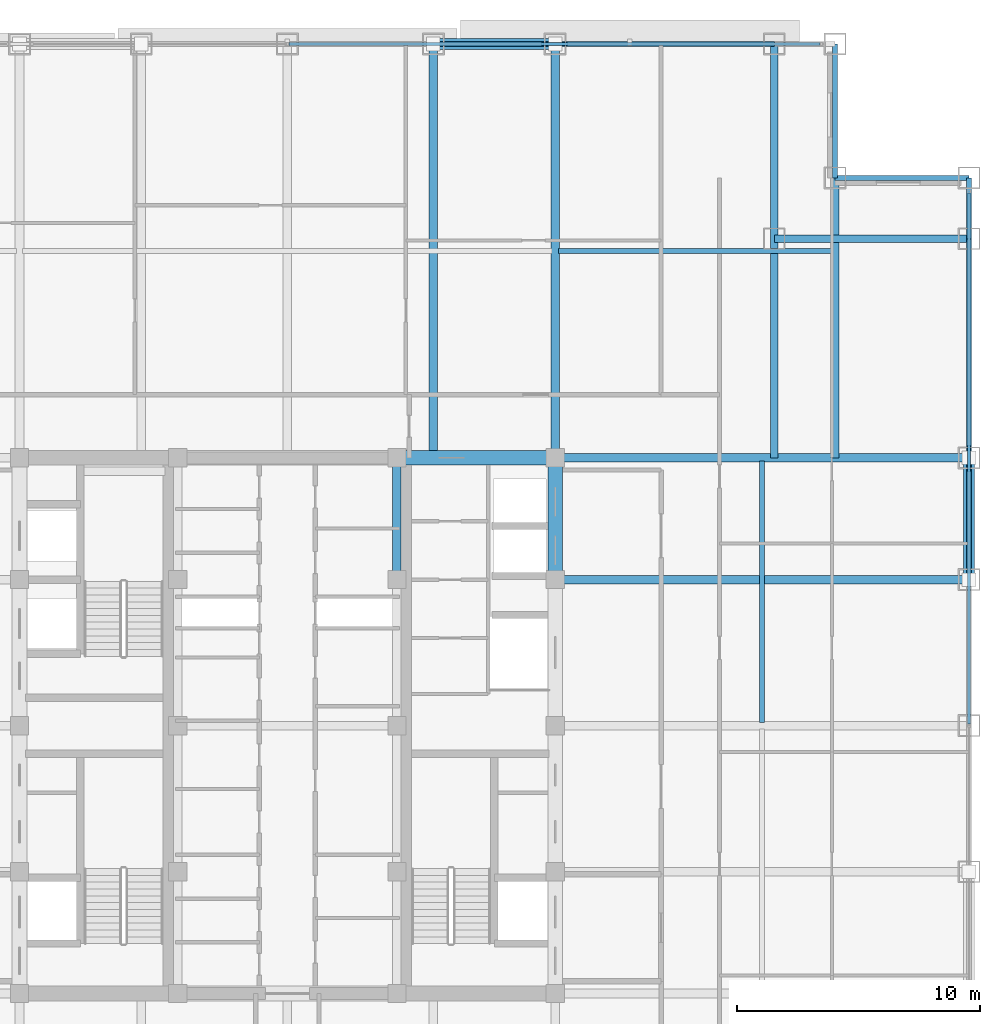
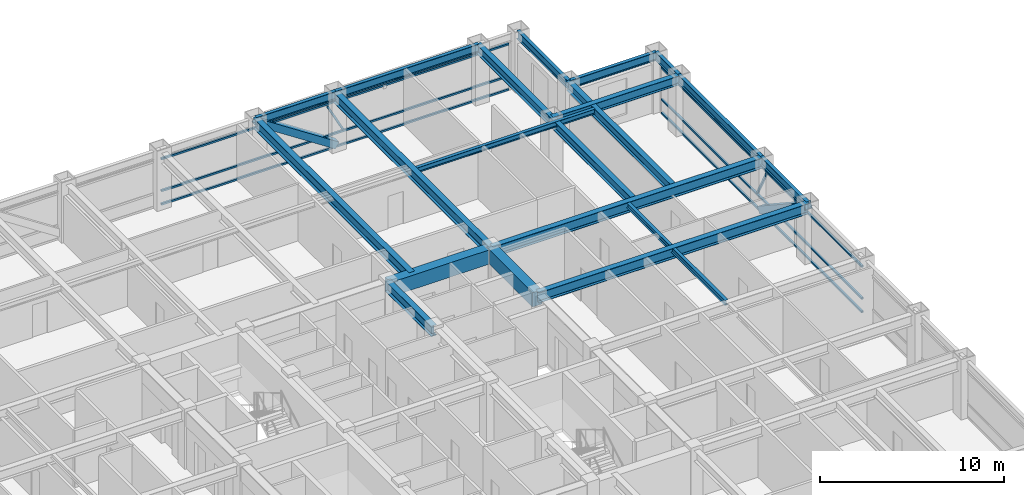
# One storey, part 15 of 27: 19 beams, 10 members, 2 elements without a shape of their own.
"""IFC4 building model written with IfcOpenShell, lengths in metres."""

from ifc_helpers import new_model, si_unit, direction, frame, origin, origin_2d, place, context, subcontext, project, spatial, rectangle, hollow_rectangle, i_section, extrude, source, transform, mapped, material, material_profile, profile_set, type_object, element, aggregate, save


model = new_model("IFC4")

# Units and contexts
model_context = context("Model", 3, precision=1e-05, world=origin(), true_north=direction((0.0, 1.0)))
body_context = subcontext(model_context, "Body", "Model", "MODEL_VIEW")
ifc_project = project(units=[si_unit("LENGTHUNIT", "METRE"), si_unit("AREAUNIT", "SQUARE_METRE"), si_unit("VOLUMEUNIT", "CUBIC_METRE"), si_unit("PLANEANGLEUNIT", "RADIAN"), si_unit("MASSUNIT", "GRAM", prefix="KILO")], contexts=[model_context])

# Site, building, storey
site_placement = place(None, origin())
site = spatial("IfcSite", under=ifc_project, at=site_placement, CompositionType="ELEMENT")
building_placement = place(site_placement, origin())
building = spatial("IfcBuilding", under=site, at=building_placement, Name="Khorayat Bourse Tower", CompositionType="ELEMENT")
storey_placement = place(building_placement, frame((0.0, 0.0, 281.5)))
storey = spatial("IfcBuildingStorey", under=building, at=storey_placement, Name="L66", CompositionType="ELEMENT", Elevation=281.5)

# Beams
ifc_material_1 = material(Name="Steel ASTM A992 Grade 50", Category="steel")
ifc_material_profile_1 = material_profile(ifc_material_1, i_section(OverallWidth=0.35498046875, OverallDepth=0.695068359375, WebThickness=0.015380859375, FlangeThickness=0.02490234375, FilletRadius=0.01806640625, at=origin_2d()), Name="W690X217")
ifc_profile_set_1 = profile_set([ifc_material_profile_1], Name="Steel ASTM A992 Grade 50")
beam_type_1 = type_object("IfcBeamType", Name="BM-GIRD-690", PredefinedType="BEAM", material=ifc_profile_set_1)
shared_shape_1 = source(origin(), body_context, "Body", "SweptSolid", [
    extrude(i_section(OverallWidth=0.35498046875, OverallDepth=0.695068359375, WebThickness=0.015380859375, FlangeThickness=0.02490234375, FilletRadius=0.01806640625, at=origin_2d()), origin(), (0.0, 0.0, 1.0), 5.0),
])
beam_1_placement = place(storey_placement, frame((4.5, 6.0, 3.4326171875), z_axis=(0.0, 1.0, 0.0), x_axis=(-1.0, 0.0, 0.0)))
element("IfcBeam", 1, at=beam_1_placement, inside=storey, type_object=beam_type_1, Name="L66 BM-GIRD-690 BM-L66-CRX-12", PredefinedType="BEAM", context=body_context, shape_type="MappedRepresentation", body=[
    mapped(shared_shape_1, transform((0.0, 0.0, 0.0), scale=1.0)),
])
ifc_material_profile_2 = material_profile(ifc_material_1, i_section(OverallWidth=0.324951171875, OverallDepth=0.615966796875, WebThickness=0.013916015625, FlangeThickness=0.021484375, FilletRadius=0.01611328125, at=origin_2d()), Name="W610X174")
ifc_profile_set_2 = profile_set([ifc_material_profile_2], Name="Steel ASTM A992 Grade 50")
beam_type_2 = type_object("IfcBeamType", Name="BM-GIRD-610", PredefinedType="BEAM", material=ifc_profile_set_2)
shared_shape_2 = source(origin(), body_context, "Body", "SweptSolid", [
    extrude(i_section(OverallWidth=0.324951171875, OverallDepth=0.615966796875, WebThickness=0.013916015625, FlangeThickness=0.021484375, FilletRadius=0.01611328125, at=origin_2d()), origin(), (0.0, 0.0, 1.0), 17.0),
])
beam_2_placement = place(storey_placement, frame((20.0, 11.0, 3.471923828125), z_axis=(0.0, 1.0, 0.0), x_axis=(-1.0, 0.0, 0.0)))
element("IfcBeam", 2, at=beam_2_placement, inside=storey, type_object=beam_type_2, Name="L66 BM-GIRD-610 BM-L66-CNRY-087", PredefinedType="BEAM", context=body_context, shape_type="MappedRepresentation", body=[
    mapped(shared_shape_2, transform((0.0, 0.0, 0.0), scale=1.0)),
])
ifc_material_2 = material(Name="Concrete C60/75", Category="concrete")
ifc_material_profile_3 = material_profile(ifc_material_2, rectangle(XDim=0.60009765625, YDim=0.949951171875, at=origin_2d()), Name="RC 600x950")
ifc_profile_set_3 = profile_set([ifc_material_profile_3], Name="Concrete C60/75")
beam_type_3 = type_object("IfcBeamType", Name="BM-COUP-950", PredefinedType="BEAM", material=ifc_profile_set_3)
shared_shape_3 = source(origin(), body_context, "Body", "SweptSolid", [
    extrude(rectangle(XDim=0.60009765625, YDim=0.949951171875, at=origin_2d()), origin(), (0.0, 0.0, 1.0), 5.0),
])
beam_3_placement = place(storey_placement, frame((11.0, 6.0, 3.304931640625), z_axis=(0.0, 1.0, 0.0), x_axis=(-1.0, 0.0, 0.0)))
element("IfcBeam", 3, at=beam_3_placement, inside=storey, type_object=beam_type_3, Name="L66 BM-COUP-950 BM-L66-CRX-16", PredefinedType="BEAM", context=body_context, shape_type="MappedRepresentation", body=[
    mapped(shared_shape_3, transform((0.0, 0.0, 0.0), scale=1.0)),
])
shared_shape_4 = source(origin(), body_context, "Body", "SweptSolid", [
    extrude(rectangle(XDim=0.60009765625, YDim=0.949951171875, at=origin_2d()), origin(), (0.0, 0.0, 1.0), 6.5),
])
beam_4_placement = place(storey_placement, frame((4.5, 11.0, 3.304931640625), z_axis=(1.0, 0.0, 0.0), x_axis=(0.0, 1.0, 0.0)))
element("IfcBeam", 4, at=beam_4_placement, inside=storey, type_object=beam_type_3, Name="L66 BM-COUP-950 BM-L66-CRY-22", PredefinedType="BEAM", context=body_context, shape_type="MappedRepresentation", body=[
    mapped(shared_shape_4, transform((0.0, 0.0, 0.0), scale=1.0)),
])

# Members
ifc_material_3 = material(Name="Steel EN 10025-4 S460M", Category="steel")
ifc_material_profile_4 = material_profile(ifc_material_3, hollow_rectangle(XDim=0.449951171875, YDim=0.449951171875, WallThickness=0.02490234375, at=origin_2d()), Name="HSS 450x450x25")
ifc_profile_set_4 = profile_set([ifc_material_profile_4], Name="Steel EN 10025-4 S460M")
member_type_1 = type_object("IfcMemberType", Name="MBR-TUBE-450", PredefinedType="BRACE", material=ifc_profile_set_4)
shared_shape_5 = source(origin(), body_context, "Body", "SweptSolid", [
    extrude(hollow_rectangle(XDim=0.449951171875, YDim=0.449951171875, WallThickness=0.02490234375, at=origin_2d()), origin(), (0.0, 0.0, 1.0), 5.979736328125),
])
for number, where, z_axis, x_axis, name in (
    (5, (6.0, 28.0, 3.530029296875), (0.836141536525, 0.0, -0.548513747227), (0.0, 1.0, 0.0), "L66 Perimeter Tube Brace 04"),
    (6, (28.0, 6.0, 3.530029296875), (0.0, 0.836141536525, -0.548513747227), (-1.0, 0.0, 0.0), "L66 Perimeter Tube Brace 08"),
):
    element("IfcMember", number, at=place(storey_placement, frame(where, z_axis=z_axis, x_axis=x_axis)), inside=storey, type_object=member_type_1, Name=name, PredefinedType="BRACE", context=body_context, shape_type="MappedRepresentation", body=[
        mapped(shared_shape_5, transform((0.0, 0.0, 0.0), scale=1.0)),
    ])

# Beams
shared_shape_6 = source(origin(), body_context, "Body", "SweptSolid", [
    extrude(i_section(OverallWidth=0.35498046875, OverallDepth=0.695068359375, WebThickness=0.015380859375, FlangeThickness=0.02490234375, FilletRadius=0.01806640625, at=origin_2d()), origin(), (0.0, 0.0, 1.0), 17.0),
])
for number, where, z_axis, x_axis, name in (
    (7, (6.0, 11.0, 3.4326171875), (0.0, 1.0, 0.0), (-1.0, 0.0, 0.0), "L66 BM-GIRD-690 BM-L66-RADY-070"),
    (8, (11.0, 11.0, 3.4326171875), (0.0, 1.0, 0.0), (-1.0, 0.0, 0.0), "L66 BM-GIRD-690 BM-L66-RADY-072"),
    (9, (11.0, 6.0, 3.4326171875), (1.0, 0.0, 0.0), (0.0, 1.0, 0.0), "L66 BM-GIRD-690 BM-L66-RADX-080"),
    (10, (11.0, 11.0, 3.4326171875), (1.0, 0.0, 0.0), (0.0, 1.0, 0.0), "L66 BM-GIRD-690 BM-L66-RADX-082"),
):
    element("IfcBeam", number, at=place(storey_placement, frame(where, z_axis=z_axis, x_axis=x_axis)), inside=storey, type_object=beam_type_1, Name=name, PredefinedType="BEAM", context=body_context, shape_type="MappedRepresentation", body=[
        mapped(shared_shape_6, transform((0.0, 0.0, 0.0), scale=1.0)),
    ])
shared_shape_7 = source(origin(), body_context, "Body", "SweptSolid", [
    extrude(i_section(OverallWidth=0.324951171875, OverallDepth=0.615966796875, WebThickness=0.013916015625, FlangeThickness=0.021484375, FilletRadius=0.01611328125, at=origin_2d()), origin(), (0.0, 0.0, 1.0), 11.5),
])
beam_5_placement = place(storey_placement, frame((22.5, 11.0, 3.471923828125), z_axis=(0.0, 1.0, 0.0), x_axis=(-1.0, 0.0, 0.0)))
element("IfcBeam", 11, at=beam_5_placement, inside=storey, type_object=beam_type_2, Name="L66 BM-GIRD-610 BM-L66-CNRY-091", PredefinedType="BEAM", context=body_context, shape_type="MappedRepresentation", body=[
    mapped(shared_shape_7, transform((0.0, 0.0, 0.0), scale=1.0)),
])
shared_shape_8 = source(origin(), body_context, "Body", "SweptSolid", [
    extrude(i_section(OverallWidth=0.324951171875, OverallDepth=0.615966796875, WebThickness=0.013916015625, FlangeThickness=0.021484375, FilletRadius=0.01611328125, at=origin_2d()), origin(), (0.0, 0.0, 1.0), 8.0),
])
beam_6_placement = place(storey_placement, frame((20.0, 20.0, 3.471923828125), z_axis=(1.0, 0.0, 0.0), x_axis=(0.0, 1.0, 0.0)))
element("IfcBeam", 12, at=beam_6_placement, inside=storey, type_object=beam_type_2, Name="L66 BM-GIRD-610 BM-L66-CNRX-094", PredefinedType="BEAM", context=body_context, shape_type="MappedRepresentation", body=[
    mapped(shared_shape_8, transform((0.0, 0.0, 0.0), scale=1.0)),
])
ifc_material_profile_5 = material_profile(ifc_material_1, i_section(OverallWidth=0.202880859375, OverallDepth=0.346923828125, WebThickness=0.0078125, FlangeThickness=0.013427734375, FilletRadius=0.010009765625, at=origin_2d()), Name="W360X64")
ifc_profile_set_5 = profile_set([ifc_material_profile_5], Name="Steel ASTM A992 Grade 50")
beam_type_4 = type_object("IfcBeamType", Name="BM-JOIST-360", PredefinedType="JOIST", material=ifc_profile_set_5)
shared_shape_9 = source(origin(), body_context, "Body", "SweptSolid", [
    extrude(i_section(OverallWidth=0.202880859375, OverallDepth=0.346923828125, WebThickness=0.0078125, FlangeThickness=0.013427734375, FilletRadius=0.010009765625, at=origin_2d()), origin(), (0.0, 0.0, 1.0), 11.240234375),
])
beam_7_placement = place(storey_placement, frame((11.1298828125, 19.5, 3.6064453125), z_axis=(1.0, 0.0, 0.0), x_axis=(0.0, 1.0, 0.0)))
element("IfcBeam", 13, at=beam_7_placement, inside=storey, type_object=beam_type_4, Name="L66 BM-JOIST-360 BM-L66-JSTX-101", PredefinedType="JOIST", context=body_context, shape_type="MappedRepresentation", body=[
    mapped(shared_shape_9, transform((0.0, 0.0, 0.0), scale=1.0)),
])
shared_shape_10 = source(origin(), body_context, "Body", "SweptSolid", [
    extrude(i_section(OverallWidth=0.202880859375, OverallDepth=0.346923828125, WebThickness=0.0078125, FlangeThickness=0.013427734375, FilletRadius=0.010009765625, at=origin_2d()), origin(), (0.0, 0.0, 1.0), 10.740234375),
])
beam_8_placement = place(storey_placement, frame((19.5, 0.1298828125, 3.6064453125), z_axis=(0.0, 1.0, 0.0), x_axis=(-1.0, 0.0, 0.0)))
element("IfcBeam", 14, at=beam_8_placement, inside=storey, type_object=beam_type_4, Name="L66 BM-JOIST-360 BM-L66-JSTY-105", PredefinedType="JOIST", context=body_context, shape_type="MappedRepresentation", body=[
    mapped(shared_shape_10, transform((0.0, 0.0, 0.0), scale=1.0)),
])
ifc_material_profile_6 = material_profile(ifc_material_1, i_section(OverallWidth=0.214111328125, OverallDepth=0.549072265625, WebThickness=0.0146484375, FlangeThickness=0.023681640625, FilletRadius=0.013916015625, at=origin_2d()), Name="W530X138")
ifc_profile_set_6 = profile_set([ifc_material_profile_6], Name="Steel ASTM A992 Grade 50")
beam_type_5 = type_object("IfcBeamType", Name="BM-SPAN-530", PredefinedType="SPANDREL", material=ifc_profile_set_6)
shared_shape_11 = source(origin(), body_context, "Body", "SweptSolid", [
    extrude(i_section(OverallWidth=0.214111328125, OverallDepth=0.549072265625, WebThickness=0.0146484375, FlangeThickness=0.023681640625, FilletRadius=0.013916015625, at=origin_2d()), origin(), (0.0, 0.0, 1.0), 2.5),
])
beam_9_placement = place(storey_placement, frame((28.0, 20.0, 3.505615234375), z_axis=(0.0, 1.0, 0.0), x_axis=(-1.0, 0.0, 0.0)))
element("IfcBeam", 15, at=beam_9_placement, inside=storey, type_object=beam_type_5, Name="L66 BM-SPAN-530 BM-L66-SPN-041", PredefinedType="SPANDREL", context=body_context, shape_type="MappedRepresentation", body=[
    mapped(shared_shape_11, transform((0.0, 0.0, 0.0), scale=1.0)),
])
shared_shape_12 = source(origin(), body_context, "Body", "SweptSolid", [
    extrude(i_section(OverallWidth=0.214111328125, OverallDepth=0.549072265625, WebThickness=0.0146484375, FlangeThickness=0.023681640625, FilletRadius=0.013916015625, at=origin_2d()), origin(), (0.0, 0.0, 1.0), 9.0),
])
for number, where, z_axis, x_axis, name in (
    (16, (28.0, 11.0, 3.505615234375), (0.0, 1.0, 0.0), (-1.0, 0.0, 0.0), "L66 BM-SPAN-530 BM-L66-SPN-040"),
    (17, (11.0, 28.0, 3.505615234375), (1.0, 0.0, 0.0), (0.0, 1.0, 0.0), "L66 BM-SPAN-530 BM-L66-SPN-045"),
):
    element("IfcBeam", number, at=place(storey_placement, frame(where, z_axis=z_axis, x_axis=x_axis)), inside=storey, type_object=beam_type_5, Name=name, PredefinedType="SPANDREL", context=body_context, shape_type="MappedRepresentation", body=[
        mapped(shared_shape_12, transform((0.0, 0.0, 0.0), scale=1.0)),
    ])
shared_shape_13 = source(origin(), body_context, "Body", "SweptSolid", [
    extrude(i_section(OverallWidth=0.214111328125, OverallDepth=0.549072265625, WebThickness=0.0146484375, FlangeThickness=0.023681640625, FilletRadius=0.013916015625, at=origin_2d()), origin(), (0.0, 0.0, 1.0), 5.0),
])
for number, where, z_axis, x_axis, name in (
    (18, (28.0, 6.0, 3.505615234375), (0.0, 1.0, 0.0), (-1.0, 0.0, 0.0), "L66 BM-SPAN-530 BM-L66-SPN-039"),
    (19, (6.0, 28.0, 3.505615234375), (1.0, 0.0, 0.0), (0.0, 1.0, 0.0), "L66 BM-SPAN-530 BM-L66-SPN-046"),
):
    element("IfcBeam", number, at=place(storey_placement, frame(where, z_axis=z_axis, x_axis=x_axis)), inside=storey, type_object=beam_type_5, Name=name, PredefinedType="SPANDREL", context=body_context, shape_type="MappedRepresentation", body=[
        mapped(shared_shape_13, transform((0.0, 0.0, 0.0), scale=1.0)),
    ])
shared_shape_14 = source(origin(), body_context, "Body", "SweptSolid", [
    extrude(i_section(OverallWidth=0.214111328125, OverallDepth=0.549072265625, WebThickness=0.0146484375, FlangeThickness=0.023681640625, FilletRadius=0.013916015625, at=origin_2d()), origin(), (0.0, 0.0, 1.0), 5.5),
])
for number, where, z_axis, x_axis, name in (
    (20, (22.5, 22.5, 3.505615234375), (1.0, 0.0, 0.0), (0.0, 1.0, 0.0), "L66 BM-SPAN-530 BM-L66-SPN-042"),
    (21, (22.5, 22.5, 3.505615234375), (0.0, 1.0, 0.0), (-1.0, 0.0, 0.0), "L66 BM-SPAN-530 BM-L66-SPN-043"),
):
    element("IfcBeam", number, at=place(storey_placement, frame(where, z_axis=z_axis, x_axis=x_axis)), inside=storey, type_object=beam_type_5, Name=name, PredefinedType="SPANDREL", context=body_context, shape_type="MappedRepresentation", body=[
        mapped(shared_shape_14, transform((0.0, 0.0, 0.0), scale=1.0)),
    ])

# Curtain wall, member
ifc_material_4 = material(Name="Aluminium EN AW-6063 T6", Category="aluminium")
curtain_wall_type = type_object("IfcCurtainWallType", Name="CW-SYS-04", PredefinedType="NOTDEFINED", material=ifc_material_4)
curtain_wall_1_placement = place(storey_placement, origin())
curtain_wall_1 = element("IfcCurtainWall", 22, at=curtain_wall_1_placement, inside=storey, type_object=curtain_wall_type, Name="L66 Curtain Wall CW-L66-N1", PredefinedType="NOTDEFINED")
ifc_material_profile_7 = material_profile(ifc_material_4, hollow_rectangle(XDim=0.1201171875, YDim=0.1201171875, WallThickness=0.0048828125, at=origin_2d()), Name="ALU 120x120x5")
ifc_profile_set_7 = profile_set([ifc_material_profile_7], Name="Aluminium EN AW-6063 T6")
member_type_2 = type_object("IfcMemberType", Name="CWM-DIAG-120", PredefinedType="MULLION", material=ifc_profile_set_7)
shared_shape_15 = source(origin(), body_context, "Body", "SweptSolid", [
    extrude(hollow_rectangle(XDim=0.1201171875, YDim=0.1201171875, WallThickness=0.0048828125, at=origin_2d()), origin(), (0.0, 0.0, 1.0), 2.0791015625),
])
member_1_placement = place(storey_placement, frame((11.4541015625, 28.0, 1.090087890625), z_axis=(-0.465717394116, 0.0, 0.884933505309), x_axis=(0.0, -1.0, 0.0)))
member_1 = element("IfcMember", 23, at=member_1_placement, type_object=member_type_2, Name="CW-L66-N1 Faceted Diagonal Mullion 2", PredefinedType="MULLION", context=body_context, shape_type="MappedRepresentation", body=[
    mapped(shared_shape_15, transform((0.0, 0.0, 0.0), scale=1.0)),
])

curtain_wall_2_placement = place(storey_placement, origin())
curtain_wall_2 = element("IfcCurtainWall", 24, at=curtain_wall_2_placement, inside=storey, type_object=curtain_wall_type, Name="L66 Curtain Wall CW-L66-E1", PredefinedType="NOTDEFINED")
member_2_placement = place(storey_placement, frame((28.0, 11.4541015625, 1.090087890625), z_axis=(0.0, -0.465717394116, 0.884933505309), x_axis=(1.0, 0.0, 0.0)))
member_2 = element("IfcMember", 25, at=member_2_placement, type_object=member_type_2, Name="CW-L66-E1 Faceted Diagonal Mullion 2", PredefinedType="MULLION", context=body_context, shape_type="MappedRepresentation", body=[
    mapped(shared_shape_15, transform((0.0, 0.0, 0.0), scale=1.0)),
])

# Member
ifc_material_profile_8 = material_profile(ifc_material_4, hollow_rectangle(XDim=0.1201171875, YDim=0.1201171875, WallThickness=0.0048828125, at=origin_2d()), Name="ALU 120x120x5")
ifc_profile_set_8 = profile_set([ifc_material_profile_8], Name="Aluminium EN AW-6063 T6")
member_type_3 = type_object("IfcMemberType", Name="CWT-HORZ-120", PredefinedType="USERDEFINED", material=ifc_profile_set_8)
shared_shape_16 = source(origin(), body_context, "Body", "SweptSolid", [
    extrude(hollow_rectangle(XDim=0.1201171875, YDim=0.1201171875, WallThickness=0.0048828125, at=origin_2d()), origin(), (0.0, 0.0, 1.0), 21.81982421875),
])
member_3_placement = place(storey_placement, frame((0.06005859375, 28.0, 0.06005859375), z_axis=(1.0, 0.0, 0.0), x_axis=(0.0, 1.0, 0.0)))
member_3 = element("IfcMember", 26, at=member_3_placement, type_object=member_type_3, Name="CW-L66-N1 Horizontal Transom 2-1", ObjectType="TRANSOM", PredefinedType="USERDEFINED", context=body_context, shape_type="MappedRepresentation", body=[
    mapped(shared_shape_16, transform((0.0, 0.0, 0.0), scale=1.0)),
])

member_4_placement = place(storey_placement, frame((0.06005859375, 28.0, 0.949951171875), z_axis=(1.0, 0.0, 0.0), x_axis=(0.0, 1.0, 0.0)))
member_4 = element("IfcMember", 27, at=member_4_placement, type_object=member_type_3, Name="CW-L66-N1 Horizontal Transom 2-2", ObjectType="TRANSOM", PredefinedType="USERDEFINED", context=body_context, shape_type="MappedRepresentation", body=[
    mapped(shared_shape_16, transform((0.0, 0.0, 0.0), scale=1.0)),
])

member_5_placement = place(storey_placement, frame((0.06005859375, 28.0, 3.070068359375), z_axis=(1.0, 0.0, 0.0), x_axis=(0.0, 1.0, 0.0)))
member_5 = element("IfcMember", 28, at=member_5_placement, type_object=member_type_3, Name="CW-L66-N1 Horizontal Transom 2-3", ObjectType="TRANSOM", PredefinedType="USERDEFINED", context=body_context, shape_type="MappedRepresentation", body=[
    mapped(shared_shape_16, transform((0.0, 0.0, 0.0), scale=1.0)),
])

aggregate(curtain_wall_1, [member_3, member_4, member_5, member_1])

member_6_placement = place(storey_placement, frame((28.0, 0.06005859375, 0.06005859375), z_axis=(0.0, 1.0, 0.0), x_axis=(-1.0, 0.0, 0.0)))
member_6 = element("IfcMember", 29, at=member_6_placement, type_object=member_type_3, Name="CW-L66-E1 Horizontal Transom 2-1", ObjectType="TRANSOM", PredefinedType="USERDEFINED", context=body_context, shape_type="MappedRepresentation", body=[
    mapped(shared_shape_16, transform((0.0, 0.0, 0.0), scale=1.0)),
])

member_7_placement = place(storey_placement, frame((28.0, 0.06005859375, 0.949951171875), z_axis=(0.0, 1.0, 0.0), x_axis=(-1.0, 0.0, 0.0)))
member_7 = element("IfcMember", 30, at=member_7_placement, type_object=member_type_3, Name="CW-L66-E1 Horizontal Transom 2-2", ObjectType="TRANSOM", PredefinedType="USERDEFINED", context=body_context, shape_type="MappedRepresentation", body=[
    mapped(shared_shape_16, transform((0.0, 0.0, 0.0), scale=1.0)),
])

member_8_placement = place(storey_placement, frame((28.0, 0.06005859375, 3.070068359375), z_axis=(0.0, 1.0, 0.0), x_axis=(-1.0, 0.0, 0.0)))
member_8 = element("IfcMember", 31, at=member_8_placement, type_object=member_type_3, Name="CW-L66-E1 Horizontal Transom 2-3", ObjectType="TRANSOM", PredefinedType="USERDEFINED", context=body_context, shape_type="MappedRepresentation", body=[
    mapped(shared_shape_16, transform((0.0, 0.0, 0.0), scale=1.0)),
])

aggregate(curtain_wall_2, [member_6, member_7, member_8, member_2])

save(model, "model.ifc")
